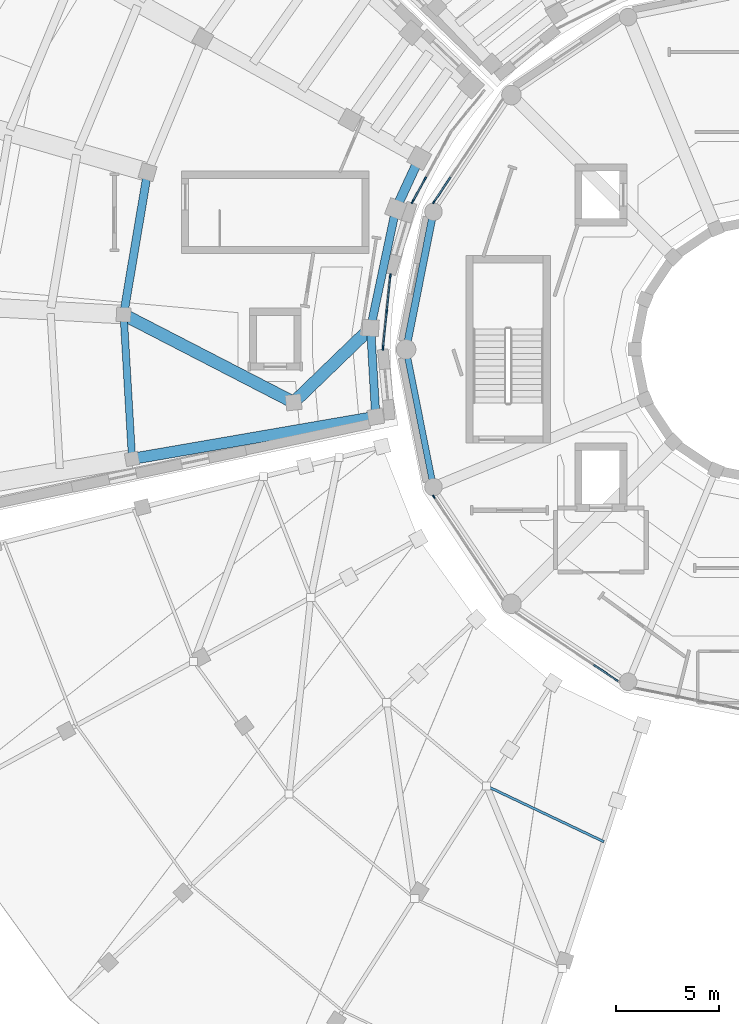
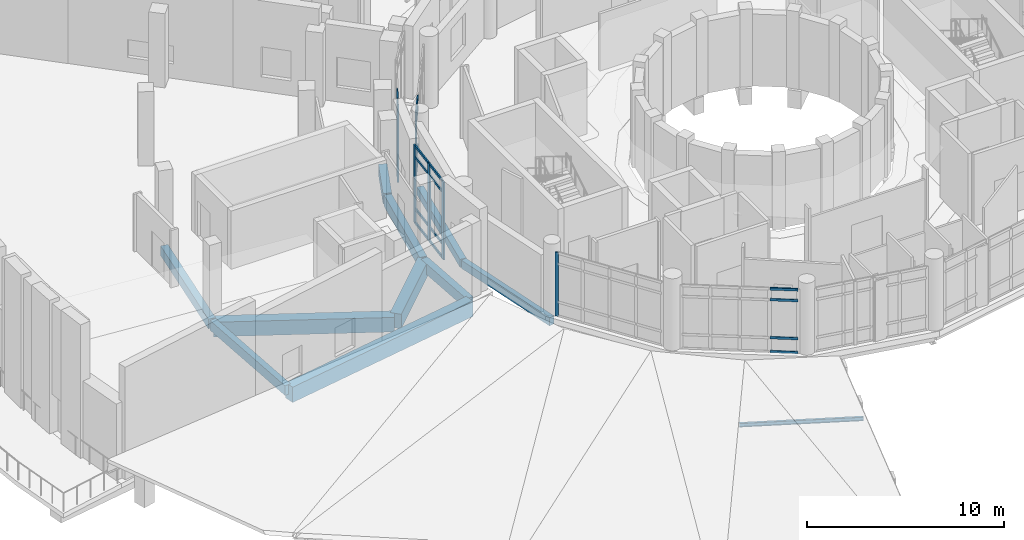
# One storey, part 7 of 75: 28 members, 10 beams, 5 elements without a shape of their own.
"""IFC4 building model written with IfcOpenShell, lengths in metres."""

from ifc_helpers import new_model, si_unit, direction, frame, origin, origin_2d, place, context, subcontext, project, spatial, rectangle, i_section, extrude, material, material_profile, profile_set, type_object, element, aggregate, save


model = new_model("IFC4")

# Units and contexts
model_context = context("Model", 3, precision=1e-05, world=origin(), true_north=direction((0.0, 1.0)))
body_context = subcontext(model_context, "Body", "Model", "MODEL_VIEW")
ifc_project = project(units=[si_unit("LENGTHUNIT", "METRE"), si_unit("AREAUNIT", "SQUARE_METRE"), si_unit("VOLUMEUNIT", "CUBIC_METRE"), si_unit("PLANEANGLEUNIT", "RADIAN"), si_unit("MASSUNIT", "GRAM", prefix="KILO")], contexts=[model_context])

# Site, building, storey
site_placement = place(None, origin())
site = spatial("IfcSite", under=ifc_project, at=site_placement, CompositionType="ELEMENT")
building_placement = place(site_placement, origin())
building = spatial("IfcBuilding", under=site, at=building_placement, Name="Soyqirgoq Riverine Aquarium", CompositionType="ELEMENT")
storey_placement = place(building_placement, frame((0.0, 0.0, 10.199951171875)))
storey = spatial("IfcBuildingStorey", under=building, at=storey_placement, Name="L03", CompositionType="ELEMENT", Elevation=10.199951171875)

# Beams
ifc_material_1 = material(Name="Concrete C40/50", Category="concrete")
ifc_material_profile_1 = material_profile(ifc_material_1, rectangle(XDim=0.35009765625, YDim=0.60009765625, at=origin_2d()), Name="RC 350x600")
ifc_profile_set_1 = profile_set([ifc_material_profile_1], Name="Concrete C40/50")
beam_type_1 = type_object("IfcBeamType", Name="Beam_RC_350x600", PredefinedType="JOIST", material=ifc_profile_set_1)
beam_1_placement = place(storey_placement, frame((24.8486328125, 58.637451171875, -0.579833984375), z_axis=(0.058440332484, -0.998290903264, 0.0), x_axis=(0.998290903264, 0.058440332484, 0.0)))
element("IfcBeam", 1, at=beam_1_placement, inside=storey, type_object=beam_type_1, Name="V3 L03 Wedge Chord Beam 0441", PredefinedType="JOIST", context=body_context, shape_type="SweptSolid", body=[
    extrude(rectangle(XDim=0.35009765625, YDim=0.60009765625, at=origin_2d()), origin(), (0.0, 0.0, 1.0), 6.90966796875),
])
ifc_material_2 = material(Name="Concrete C40/50", Category="concrete")
ifc_material_profile_2 = material_profile(ifc_material_2, rectangle(XDim=0.39990234375, YDim=0.60009765625, at=origin_2d()), Name="RC 400x600")
ifc_profile_set_2 = profile_set([ifc_material_profile_2], Name="Concrete C40/50")
beam_type_2 = type_object("IfcBeamType", Name="Beam_RC_400x600", PredefinedType="JOIST", material=ifc_profile_set_2)
beam_2_placement = place(storey_placement, frame((26.000244140625, 65.550537109375, -0.579833984375), z_axis=(-0.165888516221, -0.986144512831, 0.0), x_axis=(0.986144512831, -0.165888516221, 0.0)))
element("IfcBeam", 2, at=beam_2_placement, inside=storey, type_object=beam_type_2, Name="V3 L03 Wedge Chord Beam 0440", PredefinedType="JOIST", context=body_context, shape_type="SweptSolid", body=[
    extrude(rectangle(XDim=0.39990234375, YDim=0.60009765625, at=origin_2d()), origin(), (0.0, 0.0, 1.0), 6.90966796875),
])
ifc_material_3 = material(Name="Concrete C40/50", Category="concrete")
ifc_material_profile_3 = material_profile(ifc_material_3, rectangle(XDim=0.39990234375, YDim=0.64990234375, at=origin_2d()), Name="RC 400x650")
ifc_profile_set_3 = profile_set([ifc_material_profile_3], Name="Concrete C40/50")
beam_type_3 = type_object("IfcBeamType", Name="Beam_RC_400x650", PredefinedType="BEAM", material=ifc_profile_set_3)
beam_3_placement = place(storey_placement, frame((36.8310546875, 57.98828125, -0.60498046875), z_axis=(0.058463876628, -0.998289524702, 0.0), x_axis=(0.998289524702, 0.058463876628, 0.0)))
element("IfcBeam", 3, at=beam_3_placement, inside=storey, type_object=beam_type_3, Name="V3 L03 Wedge Chord Beam 0432", PredefinedType="BEAM", context=body_context, shape_type="SweptSolid", body=[
    extrude(rectangle(XDim=0.39990234375, YDim=0.64990234375, at=origin_2d()), origin(), (0.0, 0.0, 1.0), 4.213623046875),
])
ifc_material_4 = material(Name="Concrete C40/50", Category="concrete")
ifc_material_profile_4 = material_profile(ifc_material_4, rectangle(XDim=0.39990234375, YDim=0.699951171875, at=origin_2d()), Name="RC 400x700")
ifc_profile_set_4 = profile_set([ifc_material_profile_4], Name="Concrete C40/50")
beam_type_4 = type_object("IfcBeamType", Name="Beam_RC_400x700", PredefinedType="BEAM", material=ifc_profile_set_4)
beam_4_placement = place(storey_placement, frame((38.041015625, 63.769287109375, -0.6298828125), z_axis=(-0.207065366645, -0.978327109885, 0.0), x_axis=(0.978327109885, -0.207065366645, 0.0)))
element("IfcBeam", 4, at=beam_4_placement, inside=storey, type_object=beam_type_4, Name="V3 L03 Wedge Chord Beam 0431", PredefinedType="BEAM", context=body_context, shape_type="SweptSolid", body=[
    extrude(rectangle(XDim=0.39990234375, YDim=0.699951171875, at=origin_2d()), origin(), (0.0, 0.0, 1.0), 5.80810546875),
])
ifc_material_5 = material(Name="Concrete C40/50", Category="concrete")
ifc_material_profile_5 = material_profile(ifc_material_5, rectangle(XDim=0.449951171875, YDim=0.64990234375, at=origin_2d()), Name="RC 450x650")
ifc_profile_set_5 = profile_set([ifc_material_profile_5], Name="Concrete C40/50")
beam_type_5 = type_object("IfcBeamType", Name="Beam_RC_450x650", PredefinedType="BEAM", material=ifc_profile_set_5)
beam_5_placement = place(storey_placement, frame((39.170166015625, 66.233642578125, -0.60498046875), z_axis=(-0.420320258239, -0.907375820988, 0.0), x_axis=(0.907375820988, -0.420320258239, 0.0)))
element("IfcBeam", 5, at=beam_5_placement, inside=storey, type_object=beam_type_5, Name="V3 L03 Wedge Chord Beam 0430", PredefinedType="BEAM", context=body_context, shape_type="SweptSolid", body=[
    extrude(rectangle(XDim=0.449951171875, YDim=0.64990234375, at=origin_2d()), origin(), (0.0, 0.0, 1.0), 2.612060546875),
])

# Curtain wall, member
ifc_material_6 = material(Name="Anodised aluminium thermally broken triple low-E glazing", Category="aluminium")
curtain_wall_type_1 = type_object("IfcCurtainWallType", Name="CW_DrumGallery_Unitised", PredefinedType="NOTDEFINED", material=ifc_material_6)
curtain_wall_1_placement = place(storey_placement, origin())
curtain_wall_1 = element("IfcCurtainWall", 6, at=curtain_wall_1_placement, inside=storey, type_object=curtain_wall_type_1, Name="V1 L03 Curtain Wall 025", PredefinedType="NOTDEFINED")
ifc_material_7 = material(Name="Anodised aluminium 6063-T6", Category="aluminium")
ifc_material_profile_6 = material_profile(ifc_material_7, rectangle(XDim=0.06494140625, YDim=0.179931640625, at=origin_2d()), Name="ALU-M 65x180")
ifc_profile_set_6 = profile_set([ifc_material_profile_6], Name="Anodised aluminium 6063-T6")
member_type_1 = type_object("IfcMemberType", Name="CWMullion_65x180", PredefinedType="MULLION", material=ifc_profile_set_6)
member_1_placement = place(storey_placement, frame((39.898681640625, 64.149658203125, 0.0), z_axis=(0.0, 0.0, 1.0), x_axis=(0.831468565541, -0.555571799605, 0.0)))
member_1 = element("IfcMember", 7, at=member_1_placement, type_object=member_type_1, Name="CW-01 mullion 5", PredefinedType="MULLION", context=body_context, shape_type="SweptSolid", body=[
    extrude(rectangle(XDim=0.06494140625, YDim=0.179931640625, at=origin_2d()), origin(), (0.0, 0.0, 1.0), 3.949951171875),
])

curtain_wall_2_placement = place(storey_placement, origin())
curtain_wall_2 = element("IfcCurtainWall", 8, at=curtain_wall_2_placement, inside=storey, type_object=curtain_wall_type_1, Name="V1 L03 Curtain Wall 036", PredefinedType="NOTDEFINED")
member_2_placement = place(storey_placement, frame((39.898681640625, 49.850341796875, 0.0), z_axis=(0.0, 0.0, 1.0), x_axis=(0.831468565541, 0.555571799605, 0.0)))
member_2 = element("IfcMember", 9, at=member_2_placement, type_object=member_type_1, Name="CW-01 mullion 1", PredefinedType="MULLION", context=body_context, shape_type="SweptSolid", body=[
    extrude(rectangle(XDim=0.06494140625, YDim=0.179931640625, at=origin_2d()), origin(), (0.0, 0.0, 1.0), 3.949951171875),
])
aggregate(curtain_wall_2, [member_2])

# Curtain wall, members
ifc_material_8 = material(Name="Anodised aluminium thermally broken double low-E glazing", Category="aluminium")
curtain_wall_type_2 = type_object("IfcCurtainWallType", Name="CW_Wedge_NorthBay", PredefinedType="NOTDEFINED", material=ifc_material_8)
curtain_wall_3_placement = place(storey_placement, origin())
curtain_wall_3 = element("IfcCurtainWall", 10, at=curtain_wall_3_placement, inside=storey, type_object=curtain_wall_type_2, Name="V3 L03 Curtain Wall 085", PredefinedType="NOTDEFINED")
ifc_material_9 = material(Name="Anodised aluminium 6063-T6", Category="aluminium")
ifc_material_profile_7 = material_profile(ifc_material_9, rectangle(XDim=0.080078125, YDim=0.219970703125, at=origin_2d()), Name="ALU-M 80x220")
ifc_profile_set_7 = profile_set([ifc_material_profile_7], Name="Anodised aluminium 6063-T6")
member_type_2 = type_object("IfcMemberType", Name="CWMullion_80x220", PredefinedType="MULLION", material=ifc_profile_set_7)
member_3_placement = place(storey_placement, frame((39.470703125, 65.273193359375, 0.0), z_axis=(0.0, 0.0, 1.0), x_axis=(0.876811350866, -0.480834540141, 0.0)))
member_3 = element("IfcMember", 11, at=member_3_placement, type_object=member_type_2, Name="CW-03 mullion 3", PredefinedType="MULLION", context=body_context, shape_type="SweptSolid", body=[
    extrude(rectangle(XDim=0.080078125, YDim=0.219970703125, at=origin_2d()), origin(), (0.0, 0.0, 1.0), 4.81005859375),
])
member_4_placement = place(storey_placement, frame((38.871826171875, 64.180908203125, 0.0), z_axis=(0.0, 0.0, 1.0), x_axis=(0.876811350866, -0.480834540141, 0.0)))
member_4 = element("IfcMember", 12, at=member_4_placement, type_object=member_type_2, Name="CW-03 mullion 4", PredefinedType="MULLION", context=body_context, shape_type="SweptSolid", body=[
    extrude(rectangle(XDim=0.080078125, YDim=0.219970703125, at=origin_2d()), origin(), (0.0, 0.0, 1.0), 4.81005859375),
])

curtain_wall_4_placement = place(storey_placement, origin())
curtain_wall_4 = element("IfcCurtainWall", 13, at=curtain_wall_4_placement, inside=storey, type_object=curtain_wall_type_2, Name="V3 L03 Curtain Wall 086", PredefinedType="NOTDEFINED")
member_5_placement = place(storey_placement, frame((37.78369140625, 60.56982421875, 0.0), z_axis=(0.0, 0.0, 1.0), x_axis=(0.994816552937, -0.101685918413, 0.0)))
member_5 = element("IfcMember", 14, at=member_5_placement, type_object=member_type_2, Name="CW-03 mullion 1", PredefinedType="MULLION", context=body_context, shape_type="SweptSolid", body=[
    extrude(rectangle(XDim=0.080078125, YDim=0.219970703125, at=origin_2d()), origin(), (0.0, 0.0, 1.0), 4.81005859375),
])
member_6_placement = place(storey_placement, frame((37.60546875, 58.824462890625, 0.0), z_axis=(0.0, 0.0, 1.0), x_axis=(0.994816552937, -0.101685918413, 0.0)))
member_6 = element("IfcMember", 15, at=member_6_placement, type_object=member_type_2, Name="CW-03 mullion 2", PredefinedType="MULLION", context=body_context, shape_type="SweptSolid", body=[
    extrude(rectangle(XDim=0.080078125, YDim=0.219970703125, at=origin_2d()), origin(), (0.0, 0.0, 1.0), 4.81005859375),
])
member_7_placement = place(storey_placement, frame((37.427001953125, 57.079345703125, 0.0), z_axis=(0.0, 0.0, 1.0), x_axis=(0.994816552937, -0.101685918413, 0.0)))
member_7 = element("IfcMember", 16, at=member_7_placement, type_object=member_type_2, Name="CW-03 mullion 3", PredefinedType="MULLION", context=body_context, shape_type="SweptSolid", body=[
    extrude(rectangle(XDim=0.080078125, YDim=0.219970703125, at=origin_2d()), origin(), (0.0, 0.0, 1.0), 4.81005859375),
])

# Member
ifc_material_10 = material(Name="Anodised aluminium 6063-T6", Category="aluminium")
ifc_material_profile_8 = material_profile(ifc_material_10, rectangle(XDim=0.074951171875, YDim=0.14990234375, at=origin_2d()), Name="ALU-T 75x150")
ifc_profile_set_8 = profile_set([ifc_material_profile_8], Name="Anodised aluminium 6063-T6")
member_type_3 = type_object("IfcMemberType", Name="CWTransom_75x150", PredefinedType="USERDEFINED", material=ifc_profile_set_8)
member_8_placement = place(storey_placement, frame((40.697021484375, 65.344482421875, 0.03759765625), z_axis=(-0.555582440288, -0.831461455537, 0.0), x_axis=(0.831461455537, -0.555582440288, 0.0)))
member_8 = element("IfcMember", 17, at=member_8_placement, type_object=member_type_3, Name="CW-01 transom 4.1", ObjectType="TRANSOM", PredefinedType="USERDEFINED", context=body_context, shape_type="SweptSolid", body=[
    extrude(rectangle(XDim=0.074951171875, YDim=0.14990234375, at=origin_2d()), origin(), (0.0, 0.0, 1.0), 1.404541015625),
])

member_9_placement = place(storey_placement, frame((40.697021484375, 65.344482421875, 0.900146484375), z_axis=(-0.555582440288, -0.831461455537, 0.0), x_axis=(0.831461455537, -0.555582440288, 0.0)))
member_9 = element("IfcMember", 18, at=member_9_placement, type_object=member_type_3, Name="CW-01 transom 4.2", ObjectType="TRANSOM", PredefinedType="USERDEFINED", context=body_context, shape_type="SweptSolid", body=[
    extrude(rectangle(XDim=0.074951171875, YDim=0.14990234375, at=origin_2d()), origin(), (0.0, 0.0, 1.0), 1.404541015625),
])

member_10_placement = place(storey_placement, frame((40.697021484375, 65.344482421875, 3.25), z_axis=(-0.555582440288, -0.831461455537, 0.0), x_axis=(0.831461455537, -0.555582440288, 0.0)))
member_10 = element("IfcMember", 19, at=member_10_placement, type_object=member_type_3, Name="CW-01 transom 4.3", ObjectType="TRANSOM", PredefinedType="USERDEFINED", context=body_context, shape_type="SweptSolid", body=[
    extrude(rectangle(XDim=0.074951171875, YDim=0.14990234375, at=origin_2d()), origin(), (0.0, 0.0, 1.0), 1.404541015625),
])

member_11_placement = place(storey_placement, frame((40.697021484375, 65.344482421875, 3.91259765625), z_axis=(-0.555582440288, -0.831461455537, 0.0), x_axis=(0.831461455537, -0.555582440288, 0.0)))
member_11 = element("IfcMember", 20, at=member_11_placement, type_object=member_type_3, Name="CW-01 transom 4.4", ObjectType="TRANSOM", PredefinedType="USERDEFINED", context=body_context, shape_type="SweptSolid", body=[
    extrude(rectangle(XDim=0.074951171875, YDim=0.14990234375, at=origin_2d()), origin(), (0.0, 0.0, 1.0), 1.404541015625),
])

aggregate(curtain_wall_1, [member_1, member_8, member_9, member_10, member_11])

# Curtain wall, members
curtain_wall_5_placement = place(storey_placement, origin())
curtain_wall_5 = element("IfcCurtainWall", 21, at=curtain_wall_5_placement, inside=storey, type_object=curtain_wall_type_1, Name="V1 L03 Curtain Wall 043", PredefinedType="NOTDEFINED")
member_12_placement = place(storey_placement, frame((47.655517578125, 41.697021484375, 0.03759765625), z_axis=(0.831461455537, -0.555582440288, 0.0), x_axis=(0.555582440288, 0.831461455537, 0.0)))
member_12 = element("IfcMember", 22, at=member_12_placement, type_object=member_type_3, Name="CW-01 transom 4.1", ObjectType="TRANSOM", PredefinedType="USERDEFINED", context=body_context, shape_type="SweptSolid", body=[
    extrude(rectangle(XDim=0.074951171875, YDim=0.14990234375, at=origin_2d()), origin(), (0.0, 0.0, 1.0), 1.404541015625),
])
member_13_placement = place(storey_placement, frame((47.655517578125, 41.697021484375, 0.900146484375), z_axis=(0.831461455537, -0.555582440288, 0.0), x_axis=(0.555582440288, 0.831461455537, 0.0)))
member_13 = element("IfcMember", 23, at=member_13_placement, type_object=member_type_3, Name="CW-01 transom 4.2", ObjectType="TRANSOM", PredefinedType="USERDEFINED", context=body_context, shape_type="SweptSolid", body=[
    extrude(rectangle(XDim=0.074951171875, YDim=0.14990234375, at=origin_2d()), origin(), (0.0, 0.0, 1.0), 1.404541015625),
])
member_14_placement = place(storey_placement, frame((47.655517578125, 41.697021484375, 3.25), z_axis=(0.831461455537, -0.555582440288, 0.0), x_axis=(0.555582440288, 0.831461455537, 0.0)))
member_14 = element("IfcMember", 24, at=member_14_placement, type_object=member_type_3, Name="CW-01 transom 4.3", ObjectType="TRANSOM", PredefinedType="USERDEFINED", context=body_context, shape_type="SweptSolid", body=[
    extrude(rectangle(XDim=0.074951171875, YDim=0.14990234375, at=origin_2d()), origin(), (0.0, 0.0, 1.0), 1.404541015625),
])
member_15_placement = place(storey_placement, frame((47.655517578125, 41.697021484375, 3.91259765625), z_axis=(0.831461455537, -0.555582440288, 0.0), x_axis=(0.555582440288, 0.831461455537, 0.0)))
member_15 = element("IfcMember", 25, at=member_15_placement, type_object=member_type_3, Name="CW-01 transom 4.4", ObjectType="TRANSOM", PredefinedType="USERDEFINED", context=body_context, shape_type="SweptSolid", body=[
    extrude(rectangle(XDim=0.074951171875, YDim=0.14990234375, at=origin_2d()), origin(), (0.0, 0.0, 1.0), 1.404541015625),
])
aggregate(curtain_wall_5, [member_12, member_13, member_14, member_15])

# Member
member_16_placement = place(storey_placement, frame((39.45166015625, 65.238037109375, 0.03759765625), z_axis=(-0.480905331823, -0.876772525701, 0.0), x_axis=(0.876772525701, -0.480905331823, 0.0)))
member_16 = element("IfcMember", 26, at=member_16_placement, type_object=member_type_3, Name="CW-03 transom 3.1", ObjectType="TRANSOM", PredefinedType="USERDEFINED", context=body_context, shape_type="SweptSolid", body=[
    extrude(rectangle(XDim=0.074951171875, YDim=0.14990234375, at=origin_2d()), origin(), (0.0, 0.0, 1.0), 1.16552734375),
])

member_17_placement = place(storey_placement, frame((39.45166015625, 65.238037109375, 0.900146484375), z_axis=(-0.480905331823, -0.876772525701, 0.0), x_axis=(0.876772525701, -0.480905331823, 0.0)))
member_17 = element("IfcMember", 27, at=member_17_placement, type_object=member_type_3, Name="CW-03 transom 3.2", ObjectType="TRANSOM", PredefinedType="USERDEFINED", context=body_context, shape_type="SweptSolid", body=[
    extrude(rectangle(XDim=0.074951171875, YDim=0.14990234375, at=origin_2d()), origin(), (0.0, 0.0, 1.0), 1.16552734375),
])

member_18_placement = place(storey_placement, frame((39.45166015625, 65.238037109375, 4.110107421875), z_axis=(-0.480905331823, -0.876772525701, 0.0), x_axis=(0.876772525701, -0.480905331823, 0.0)))
member_18 = element("IfcMember", 28, at=member_18_placement, type_object=member_type_3, Name="CW-03 transom 3.3", ObjectType="TRANSOM", PredefinedType="USERDEFINED", context=body_context, shape_type="SweptSolid", body=[
    extrude(rectangle(XDim=0.074951171875, YDim=0.14990234375, at=origin_2d()), origin(), (0.0, 0.0, 1.0), 1.16552734375),
])

member_19_placement = place(storey_placement, frame((39.45166015625, 65.238037109375, 4.7724609375), z_axis=(-0.480905331823, -0.876772525701, 0.0), x_axis=(0.876772525701, -0.480905331823, 0.0)))
member_19 = element("IfcMember", 29, at=member_19_placement, type_object=member_type_3, Name="CW-03 transom 3.4", ObjectType="TRANSOM", PredefinedType="USERDEFINED", context=body_context, shape_type="SweptSolid", body=[
    extrude(rectangle(XDim=0.074951171875, YDim=0.14990234375, at=origin_2d()), origin(), (0.0, 0.0, 1.0), 1.16552734375),
])

aggregate(curtain_wall_3, [member_3, member_4, member_16, member_17, member_18, member_19])

member_20_placement = place(storey_placement, frame((37.77978515625, 60.530029296875, 0.03759765625), z_axis=(-0.10176989013, -0.994807966124, 0.0), x_axis=(0.994807966124, -0.10176989013, 0.0)))
member_20 = element("IfcMember", 30, at=member_20_placement, type_object=member_type_3, Name="CW-03 transom 1.1", ObjectType="TRANSOM", PredefinedType="USERDEFINED", context=body_context, shape_type="SweptSolid", body=[
    extrude(rectangle(XDim=0.074951171875, YDim=0.14990234375, at=origin_2d()), origin(), (0.0, 0.0, 1.0), 1.674560546875),
])

member_21_placement = place(storey_placement, frame((37.77978515625, 60.530029296875, 0.900146484375), z_axis=(-0.10176989013, -0.994807966124, 0.0), x_axis=(0.994807966124, -0.10176989013, 0.0)))
member_21 = element("IfcMember", 31, at=member_21_placement, type_object=member_type_3, Name="CW-03 transom 1.2", ObjectType="TRANSOM", PredefinedType="USERDEFINED", context=body_context, shape_type="SweptSolid", body=[
    extrude(rectangle(XDim=0.074951171875, YDim=0.14990234375, at=origin_2d()), origin(), (0.0, 0.0, 1.0), 1.674560546875),
])

member_22_placement = place(storey_placement, frame((37.77978515625, 60.530029296875, 4.110107421875), z_axis=(-0.10176989013, -0.994807966124, 0.0), x_axis=(0.994807966124, -0.10176989013, 0.0)))
member_22 = element("IfcMember", 32, at=member_22_placement, type_object=member_type_3, Name="CW-03 transom 1.3", ObjectType="TRANSOM", PredefinedType="USERDEFINED", context=body_context, shape_type="SweptSolid", body=[
    extrude(rectangle(XDim=0.074951171875, YDim=0.14990234375, at=origin_2d()), origin(), (0.0, 0.0, 1.0), 1.674560546875),
])

member_23_placement = place(storey_placement, frame((37.77978515625, 60.530029296875, 4.7724609375), z_axis=(-0.10176989013, -0.994807966124, 0.0), x_axis=(0.994807966124, -0.10176989013, 0.0)))
member_23 = element("IfcMember", 33, at=member_23_placement, type_object=member_type_3, Name="CW-03 transom 1.4", ObjectType="TRANSOM", PredefinedType="USERDEFINED", context=body_context, shape_type="SweptSolid", body=[
    extrude(rectangle(XDim=0.074951171875, YDim=0.14990234375, at=origin_2d()), origin(), (0.0, 0.0, 1.0), 1.674560546875),
])

member_24_placement = place(storey_placement, frame((37.601318359375, 58.78466796875, 0.03759765625), z_axis=(-0.101640337735, -0.994821210945, 0.0), x_axis=(0.994821210945, -0.101640337735, 0.0)))
member_24 = element("IfcMember", 34, at=member_24_placement, type_object=member_type_3, Name="CW-03 transom 2.1", ObjectType="TRANSOM", PredefinedType="USERDEFINED", context=body_context, shape_type="SweptSolid", body=[
    extrude(rectangle(XDim=0.074951171875, YDim=0.14990234375, at=origin_2d()), origin(), (0.0, 0.0, 1.0), 1.67431640625),
])

member_25_placement = place(storey_placement, frame((37.601318359375, 58.78466796875, 0.900146484375), z_axis=(-0.101640337735, -0.994821210945, 0.0), x_axis=(0.994821210945, -0.101640337735, 0.0)))
member_25 = element("IfcMember", 35, at=member_25_placement, type_object=member_type_3, Name="CW-03 transom 2.2", ObjectType="TRANSOM", PredefinedType="USERDEFINED", context=body_context, shape_type="SweptSolid", body=[
    extrude(rectangle(XDim=0.074951171875, YDim=0.14990234375, at=origin_2d()), origin(), (0.0, 0.0, 1.0), 1.67431640625),
])

member_26_placement = place(storey_placement, frame((37.601318359375, 58.78466796875, 4.110107421875), z_axis=(-0.101640337735, -0.994821210945, 0.0), x_axis=(0.994821210945, -0.101640337735, 0.0)))
member_26 = element("IfcMember", 36, at=member_26_placement, type_object=member_type_3, Name="CW-03 transom 2.3", ObjectType="TRANSOM", PredefinedType="USERDEFINED", context=body_context, shape_type="SweptSolid", body=[
    extrude(rectangle(XDim=0.074951171875, YDim=0.14990234375, at=origin_2d()), origin(), (0.0, 0.0, 1.0), 1.67431640625),
])

member_27_placement = place(storey_placement, frame((37.601318359375, 58.78466796875, 4.7724609375), z_axis=(-0.101640337735, -0.994821210945, 0.0), x_axis=(0.994821210945, -0.101640337735, 0.0)))
member_27 = element("IfcMember", 37, at=member_27_placement, type_object=member_type_3, Name="CW-03 transom 2.4", ObjectType="TRANSOM", PredefinedType="USERDEFINED", context=body_context, shape_type="SweptSolid", body=[
    extrude(rectangle(XDim=0.074951171875, YDim=0.14990234375, at=origin_2d()), origin(), (0.0, 0.0, 1.0), 1.67431640625),
])

aggregate(curtain_wall_4, [member_5, member_6, member_7, member_20, member_21, member_22, member_23, member_24, member_25, member_26, member_27])

# Beams
ifc_material_11 = material(Name="Concrete C40/50", Category="concrete")
ifc_material_profile_9 = material_profile(ifc_material_11, rectangle(XDim=0.550048828125, YDim=0.949951171875, at=origin_2d()), Name="RC 550x950")
ifc_profile_set_9 = profile_set([ifc_material_profile_9], Name="Concrete C40/50")
beam_type_6 = type_object("IfcBeamType", Name="Girder_RC_550x950", PredefinedType="BEAM", material=ifc_profile_set_9)
beam_6_placement = place(storey_placement, frame((37.031005859375, 53.723388671875, -0.7548828125), z_axis=(-0.985409255208, -0.17020164438, 0.0), x_axis=(0.17020164438, -0.985409255208, 0.0)))
element("IfcBeam", 38, at=beam_6_placement, inside=storey, type_object=beam_type_6, Name="V3 L03 Wedge Radial Girder 0426", PredefinedType="BEAM", context=body_context, shape_type="SweptSolid", body=[
    extrude(rectangle(XDim=0.550048828125, YDim=0.949951171875, at=origin_2d()), origin(), (0.0, 0.0, 1.0), 11.89990234375),
])
ifc_material_12 = material(Name="Concrete C40/50", Category="concrete")
ifc_material_profile_10 = material_profile(ifc_material_12, rectangle(XDim=0.60009765625, YDim=0.89990234375, at=origin_2d()), Name="RC 600x900")
ifc_profile_set_10 = profile_set([ifc_material_profile_10], Name="Concrete C40/50")
beam_type_7 = type_object("IfcBeamType", Name="Girder_RC_600x900", PredefinedType="BEAM", material=ifc_profile_set_10)
beam_7_placement = place(storey_placement, frame((36.7919921875, 58.003662109375, -0.72998046875), z_axis=(-0.719179208553, -0.694824629662, 0.0), x_axis=(0.694824629662, -0.719179208553, 0.0)))
element("IfcBeam", 39, at=beam_7_placement, inside=storey, type_object=beam_type_7, Name="V3 L03 Wedge Radial Girder 0422", PredefinedType="BEAM", context=body_context, shape_type="SweptSolid", body=[
    extrude(rectangle(XDim=0.60009765625, YDim=0.89990234375, at=origin_2d()), origin(), (0.0, 0.0, 1.0), 5.092529296875),
])
beam_8_placement = place(storey_placement, frame((33.04931640625, 54.45361328125, -0.72998046875), z_axis=(-0.88864267975, 0.458600248284, 0.0), x_axis=(-0.458600248284, -0.88864267975, 0.0)))
element("IfcBeam", 40, at=beam_8_placement, inside=storey, type_object=beam_type_7, Name="V3 L03 Wedge Radial Girder 0423", PredefinedType="BEAM", context=body_context, shape_type="SweptSolid", body=[
    extrude(rectangle(XDim=0.60009765625, YDim=0.89990234375, at=origin_2d()), origin(), (0.0, 0.0, 1.0), 9.181640625),
])

# Member
ifc_material_13 = material(Name="Structural steel S355", Category="steel")
ifc_material_profile_11 = material_profile(ifc_material_13, i_section(OverallWidth=0.1201171875, OverallDepth=0.239990234375, WebThickness=0.006103515625, FlangeThickness=0.009765625, FilletRadius=0.014892578125, at=origin_2d()), Name="IPE 240")
ifc_profile_set_11 = profile_set([ifc_material_profile_11], Name="Structural steel S355")
member_type_4 = type_object("IfcMemberType", Name="Purlin_IPE240", PredefinedType="PURLIN", material=ifc_profile_set_11)
member_28_placement = place(storey_placement, frame((42.455322265625, 35.82080078125, 0.8779296875), z_axis=(0.903312941808, -0.428935149963, 0.006353446947), x_axis=(0.428943807485, 0.903331174055, 0.0)))
element("IfcMember", 41, at=member_28_placement, inside=storey, type_object=member_type_4, Name="V2 Prairie Roof Purlin 0153", PredefinedType="PURLIN", context=body_context, shape_type="SweptSolid", body=[
    extrude(i_section(OverallWidth=0.1201171875, OverallDepth=0.239990234375, WebThickness=0.006103515625, FlangeThickness=0.009765625, FilletRadius=0.014892578125, at=origin_2d()), origin(), (0.0, 0.0, 1.0), 6.302001953125),
])

# Beams
ifc_material_14 = material(Name="Concrete C40/50", Category="concrete")
ifc_material_profile_12 = material_profile(ifc_material_14, rectangle(XDim=0.300048828125, YDim=0.5, at=origin_2d()), Name="RC 300x500")
ifc_profile_set_12 = profile_set([ifc_material_profile_12], Name="Concrete C40/50")
beam_type_8 = type_object("IfcBeamType", Name="Spandrel_RC_300x500", PredefinedType="SPANDREL", material=ifc_profile_set_12)
beam_9_placement = place(storey_placement, frame((38.553955078125, 56.98046875, -0.599853515625), z_axis=(0.195096390568, -0.980784073274, 0.0), x_axis=(0.980784073274, 0.195096390568, 0.0)))
element("IfcBeam", 42, at=beam_9_placement, inside=storey, type_object=beam_type_8, Name="V1 L03 Drum Spandrel Beam 0074", PredefinedType="SPANDREL", context=body_context, shape_type="SweptSolid", body=[
    extrude(rectangle(XDim=0.300048828125, YDim=0.5, at=origin_2d()), origin(), (0.0, 0.0, 1.0), 6.768798828125),
])
ifc_material_15 = material(Name="Concrete C40/50", Category="concrete")
ifc_material_profile_13 = material_profile(ifc_material_15, rectangle(XDim=0.35009765625, YDim=0.5, at=origin_2d()), Name="RC 350x500")
ifc_profile_set_13 = profile_set([ifc_material_profile_13], Name="Concrete C40/50")
beam_type_9 = type_object("IfcBeamType", Name="Spandrel_RC_350x500", PredefinedType="SPANDREL", material=ifc_profile_set_13)
beam_10_placement = place(storey_placement, frame((39.87451171875, 63.658203125, -0.599853515625), z_axis=(-0.195096390568, -0.980784073274, 0.0), x_axis=(0.980784073274, -0.195096390568, 0.0)))
element("IfcBeam", 43, at=beam_10_placement, inside=storey, type_object=beam_type_9, Name="V1 L03 Drum Spandrel Beam 0073", PredefinedType="SPANDREL", context=body_context, shape_type="SweptSolid", body=[
    extrude(rectangle(XDim=0.35009765625, YDim=0.5, at=origin_2d()), origin(), (0.0, 0.0, 1.0), 6.768798828125),
])

save(model, "model.ifc")
